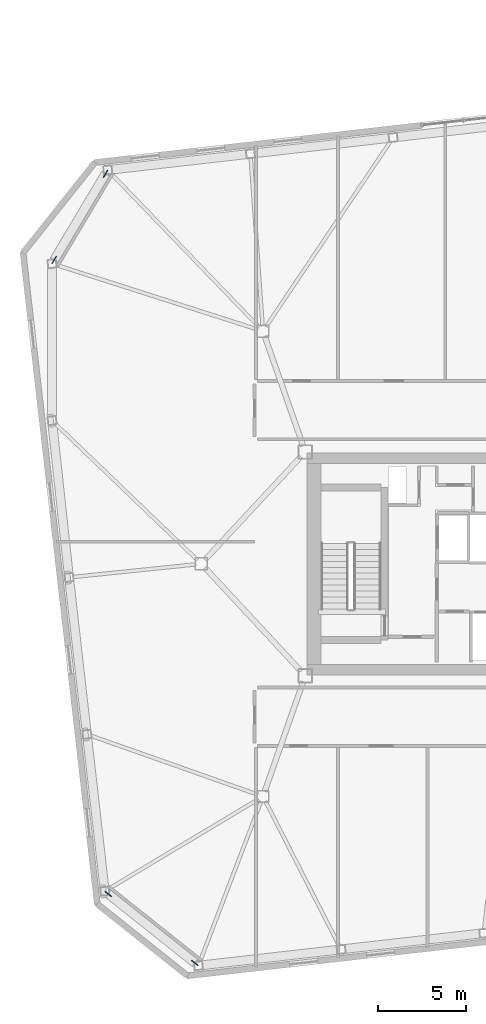
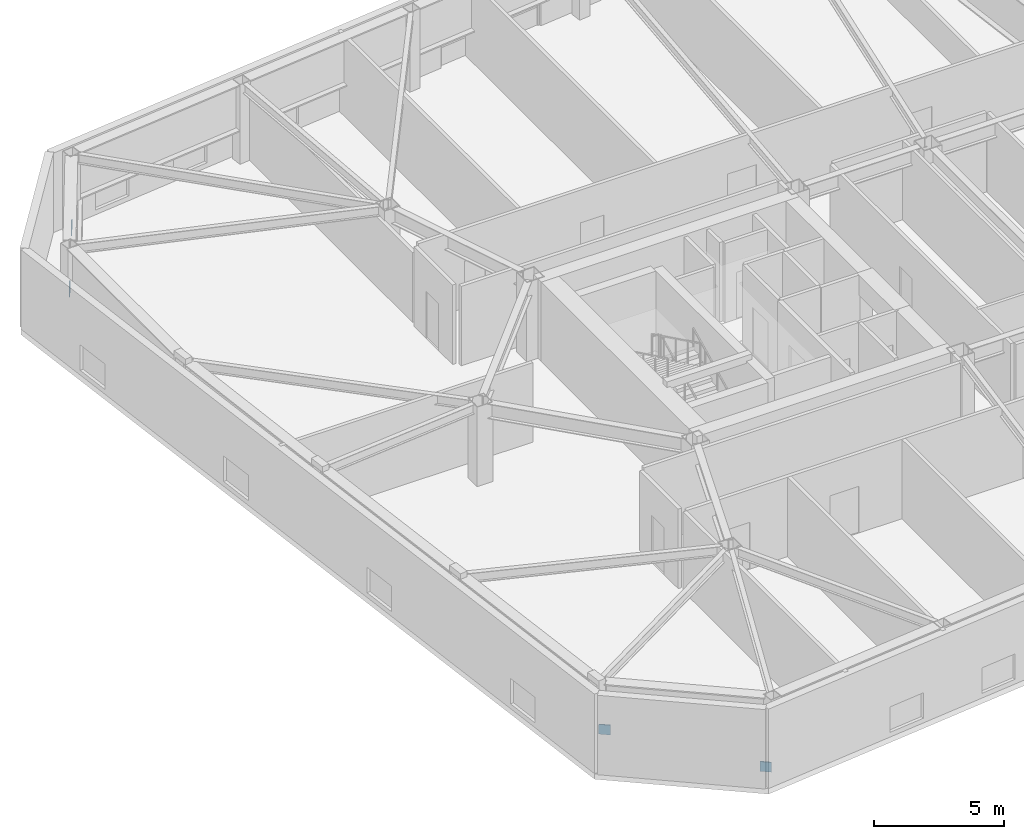
# One storey, part 16 of 20: 4 discrete accessories.
"""IFC4 building model written with IfcOpenShell, lengths in metres."""

from ifc_helpers import new_model, si_unit, direction, frame, origin, origin_2d, place, context, subcontext, project, spatial, rectangle, extrude, material, type_object, element, save


model = new_model("IFC4")

# Units and contexts
model_context = context("Model", 3, precision=1e-05, world=origin(), true_north=direction((0.0, 1.0)))
body_context = subcontext(model_context, "Body", "Model", "MODEL_VIEW")
ifc_project = project(units=[si_unit("LENGTHUNIT", "METRE"), si_unit("AREAUNIT", "SQUARE_METRE"), si_unit("VOLUMEUNIT", "CUBIC_METRE"), si_unit("PLANEANGLEUNIT", "RADIAN"), si_unit("MASSUNIT", "GRAM", prefix="KILO")], contexts=[model_context])

# Site, building, storey
site_placement = place(None, origin())
site = spatial("IfcSite", under=ifc_project, at=site_placement, CompositionType="ELEMENT")
building_placement = place(site_placement, origin())
building = spatial("IfcBuilding", under=site, at=building_placement, Name="Tavrogorsk Clinical Tower", CompositionType="ELEMENT")
storey_placement = place(building_placement, frame((0.0, 0.0, 234.199951171875)))
storey = spatial("IfcBuildingStorey", under=building, at=storey_placement, Name="L54", CompositionType="ELEMENT", Elevation=234.199951171875)

# Discrete accessories
ifc_material = material(Name="Structural steel S440", Category="steel")
discrete_accessory_type = type_object("IfcDiscreteAccessoryType", Name="GussetPlateBracket_25", PredefinedType="BRACKET", material=ifc_material)
for number, where, z_axis, x_axis, name in (
    (1, (-33.438232421875, 22.127685546875, 0.118896484375), (0.0, 0.0, 1.0), (-0.511443073004, -0.859317160934, 0.0), "L54 Brace Gusset Plate EXOCRN-L54-3-A"),
    (2, (-36.34033203125, 17.250732421875, 1.211181640625), (0.0, 0.0, 1.0), (-0.511443073004, -0.859317160934, 0.0), "L54 Brace Gusset Plate EXOCRN-L54-3-B"),
    (3, (-28.363525390625, -22.644287109375, 0.114501953125), (0.0, 0.0, 1.0), (-0.782608156852, 0.622514636638, 0.0), "L54 Brace Gusset Plate EXOCRN-L54-4-A"),
    (4, (-33.2783203125, -18.73486328125, 1.215576171875), (0.0, 0.0, 1.0), (-0.782608156852, 0.622514636638, 0.0), "L54 Brace Gusset Plate EXOCRN-L54-4-B"),
):
    element("IfcDiscreteAccessory", number, at=place(storey_placement, frame(where, z_axis=z_axis, x_axis=x_axis)), inside=storey, type_object=discrete_accessory_type, Name=name, PredefinedType="BRACKET", context=body_context, shape_type="SweptSolid", body=[
        extrude(rectangle(XDim=0.4599609375, YDim=0.0400390625, at=origin_2d()), origin(), (0.0, 0.0, 1.0), 0.4599609375),
    ])

save(model, "model.ifc")
